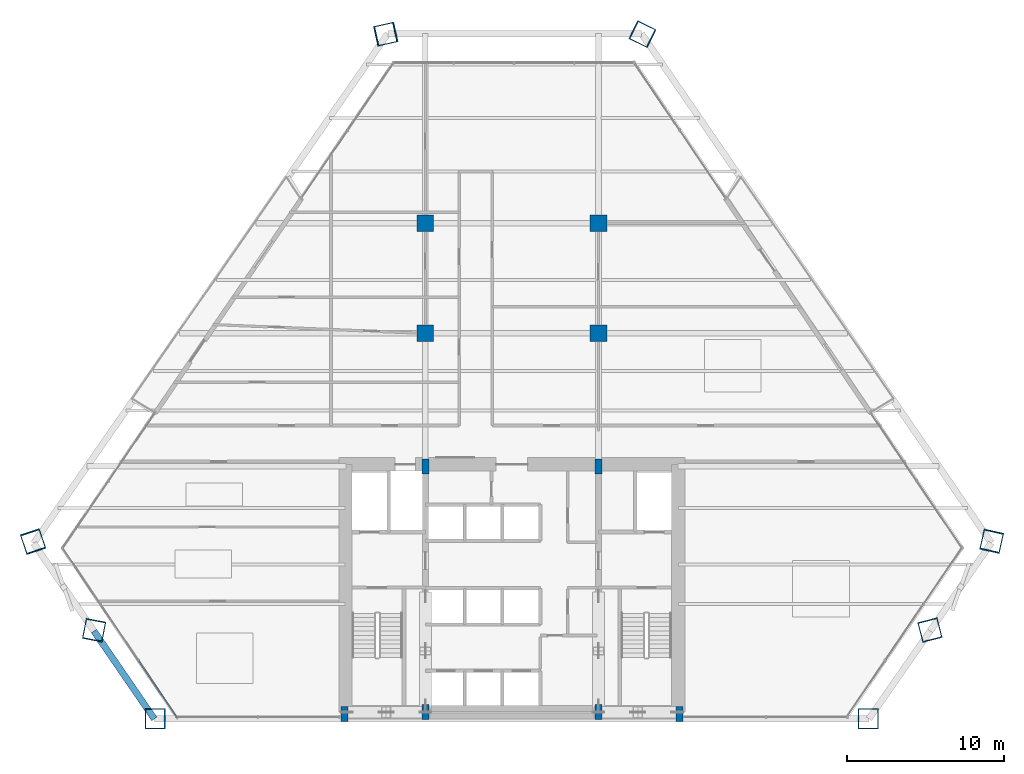
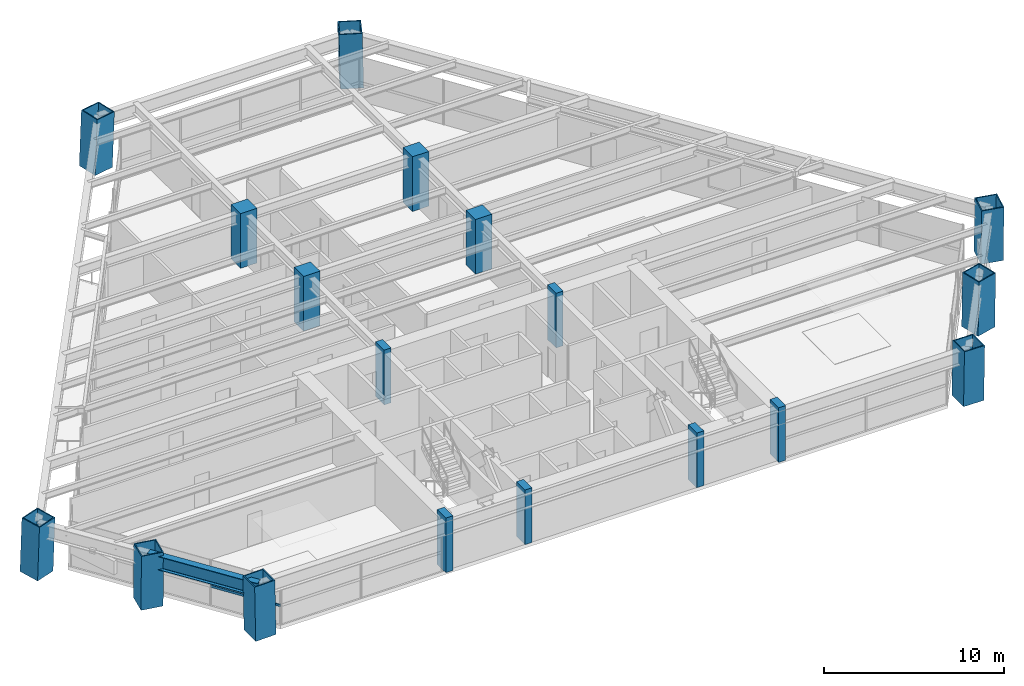
# One storey, part 1 of 14: 18 columns, 1 beam, 1 member, 1 element without a shape of its own.
"""IFC4 building model written with IfcOpenShell, lengths in metres."""

from ifc_helpers import new_model, si_unit, direction, frame, origin, origin_2d, place, context, subcontext, project, spatial, rectangle, hollow_rectangle, i_section, extrude, source, transform, mapped, material, material_profile, profile_set, type_object, type_shapes, element, aggregate, save


model = new_model("IFC4")

# Units and contexts
model_context = context("Model", 3, precision=1e-05, world=origin(), true_north=direction((0.0, 1.0)))
body_context = subcontext(model_context, "Body", "Model", "MODEL_VIEW")
ifc_project = project(units=[si_unit("LENGTHUNIT", "METRE"), si_unit("AREAUNIT", "SQUARE_METRE"), si_unit("VOLUMEUNIT", "CUBIC_METRE"), si_unit("PLANEANGLEUNIT", "RADIAN"), si_unit("MASSUNIT", "GRAM", prefix="KILO")], contexts=[model_context])

# Site, building, storey
site_placement = place(None, origin())
site = spatial("IfcSite", under=ifc_project, at=site_placement, CompositionType="ELEMENT")
building_placement = place(site_placement, origin())
building = spatial("IfcBuilding", under=site, at=building_placement, Name="Varnakhor Terracotta Tower", CompositionType="ELEMENT")
storey_placement = place(building_placement, frame((0.0, 0.0, 38.60009765625)))
storey = spatial("IfcBuildingStorey", under=building, at=storey_placement, Name="L08", CompositionType="ELEMENT", Elevation=38.60009765625)

# Columns
ifc_material_1 = material(Name="Concrete C50/60", Category="concrete")
ifc_material_profile_1 = material_profile(ifc_material_1, rectangle(XDim=0.449951171875, YDim=0.949951171875, at=origin_2d()), Name="RC PILASTER 950x450")
ifc_profile_set_1 = profile_set([ifc_material_profile_1], Name="Concrete C50/60")
column_type_1 = type_object("IfcColumnType", Name="COL-PIL-950x450", PredefinedType="PILASTER", material=ifc_profile_set_1)
shared_shape_1 = source(origin(), body_context, "Body", "SweptSolid", [
    extrude(rectangle(XDim=0.449951171875, YDim=0.949951171875, at=origin_2d()), origin(), (0.0, 0.0, 1.0), 3.699951171875),
])
for number, where, z_axis, x_axis, name in (
    (1, (-10.64990234375, 0.300048828125, 0.0), (0.0, 0.0, 1.0), (1.0, 0.0, 0.0), "L08 Core Pilaster CP1"),
    (2, (-5.5, 0.449951171875, 0.0), (0.0, 0.0, 1.0), (1.0, 0.0, 0.0), "L08 Core Pilaster CP2"),
    (3, (5.5, 0.449951171875, 0.0), (0.0, 0.0, 1.0), (1.0, 0.0, 0.0), "L08 Core Pilaster CP3"),
    (4, (10.64990234375, 0.300048828125, 0.0), (0.0, 0.0, 1.0), (1.0, 0.0, 0.0), "L08 Core Pilaster CP4"),
    (5, (-5.5, 16.050048828125, 0.0), (0.0, 0.0, 1.0), (1.0, 0.0, 0.0), "L08 Core Pilaster CP5"),
    (6, (5.5, 16.050048828125, 0.0), (0.0, 0.0, 1.0), (1.0, 0.0, 0.0), "L08 Core Pilaster CP6"),
):
    element("IfcColumn", number, at=place(storey_placement, frame(where, z_axis=z_axis, x_axis=x_axis)), inside=storey, type_object=column_type_1, Name=name, PredefinedType="PILASTER", context=body_context, shape_type="MappedRepresentation", body=[
        mapped(shared_shape_1, transform((0.0, 0.0, 0.0), scale=1.0)),
    ])
ifc_material_2 = material(Name="Steel S460", Category="steel")
ifc_material_profile_2 = material_profile(ifc_material_2, hollow_rectangle(XDim=1.300048828125, YDim=1.300048828125, WallThickness=0.06494140625, at=origin_2d()), Name="BOX 1300x1300x65")
ifc_profile_set_2 = profile_set([ifc_material_profile_2], Name="Steel S460")
column_type_2 = type_object("IfcColumnType", Name="COL-MEGA-1300", PredefinedType="COLUMN", material=ifc_profile_set_2)
shared_shape_2 = source(origin(), body_context, "Body", "SweptSolid", [
    extrude(hollow_rectangle(XDim=1.300048828125, YDim=1.300048828125, WallThickness=0.06494140625, at=origin_2d()), origin(), (0.0, 0.0, 1.0), 3.69189453125),
])
type_shapes(column_type_2, [shared_shape_2])
for number, where, z_axis, x_axis, name in (
    (7, (-22.6611328125, 0.0, 0.00439453125), (-0.018847104809, 0.0, 0.999822377545), (0.0, -1.0, 0.0), "L08 Perimeter Mega-Column M1"),
    (8, (8.30419921875, 43.512939453125, 0.00439453125), (-0.018846285544, 0.009323951795, 0.999778916283), (-0.44343569379, -0.896306189576, 0.0), "L08 Perimeter Mega-Column M5"),
):
    element("IfcColumn", number, at=place(storey_placement, frame(where, z_axis=z_axis, x_axis=x_axis)), inside=storey, type_object=column_type_2, Name=name, PredefinedType="COLUMN", context=body_context, shape_type="MappedRepresentation", body=[
        mapped(shared_shape_2, transform((0.0, 0.0, 0.0), scale=1.0)),
    ])
shared_shape_3 = source(origin(), body_context, "Body", "SweptSolid", [
    extrude(hollow_rectangle(XDim=1.300048828125, YDim=1.300048828125, WallThickness=0.06494140625, at=origin_2d()), origin(), (0.0, 0.0, 1.0), 3.691650390625),
])
for number, where, z_axis, x_axis, name in (
    (9, (22.6318359375, 0.0, 0.00439453125), (0.016268764013, 0.0, 0.999867654901), (0.0, 1.0, 0.0), "L08 Perimeter Mega-Column M2"),
    (10, (26.56298828125, 5.656005859375, 0.00439453125), (0.00436471059, -0.016797522572, 0.999849384926), (0.96785961587, 0.251491081289, 0.0), "L08 Perimeter Mega-Column M3"),
    (11, (-26.551513671875, 5.6455078125, 0.00439453125), (-0.003438820357, -0.017723151073, 0.999837018934), (0.981691567677, -0.190477468355, 0.0), "L08 Perimeter Mega-Column M8"),
):
    element("IfcColumn", number, at=place(storey_placement, frame(where, z_axis=z_axis, x_axis=x_axis)), inside=storey, type_object=column_type_2, Name=name, PredefinedType="COLUMN", context=body_context, shape_type="MappedRepresentation", body=[
        mapped(shared_shape_3, transform((0.0, 0.0, 0.0), scale=1.0)),
    ])
shared_shape_4 = source(origin(), body_context, "Body", "SweptSolid", [
    extrude(hollow_rectangle(XDim=1.300048828125, YDim=1.300048828125, WallThickness=0.06494140625, at=origin_2d()), origin(), (0.0, 0.0, 1.0), 3.693359375),
])
column_1_placement = place(storey_placement, frame((30.494384765625, 11.31201171875, 0.00439453125), z_axis=(-0.007601813503, -0.033580184864, 0.999407116052), x_axis=(0.975321100289, -0.220791193963, 0.0)))
element("IfcColumn", 12, at=column_1_placement, inside=storey, type_object=column_type_2, Name="L08 Perimeter Mega-Column M4", PredefinedType="COLUMN", context=body_context, shape_type="MappedRepresentation", body=[
    mapped(shared_shape_4, transform((0.0, 0.0, 0.0), scale=1.0)),
])
shared_shape_5 = source(origin(), body_context, "Body", "SweptSolid", [
    extrude(hollow_rectangle(XDim=1.300048828125, YDim=1.300048828125, WallThickness=0.06494140625, at=origin_2d()), origin(), (0.0, 0.0, 1.0), 3.694580078125),
])
column_2_placement = place(storey_placement, frame((-8.0458984375, 43.512939453125, 0.00439453125), z_axis=(0.041631486202, 0.009317523102, 0.999089587134), x_axis=(-0.218406297437, 0.97585792472, 0.0)))
element("IfcColumn", 13, at=column_2_placement, inside=storey, type_object=column_type_2, Name="L08 Perimeter Mega-Column M6", PredefinedType="COLUMN", context=body_context, shape_type="MappedRepresentation", body=[
    mapped(shared_shape_5, transform((0.0, 0.0, 0.0), scale=1.0)),
])
shared_shape_6 = source(origin(), body_context, "Body", "SweptSolid", [
    extrude(hollow_rectangle(XDim=1.300048828125, YDim=1.300048828125, WallThickness=0.06494140625, at=origin_2d()), origin(), (0.0, 0.0, 1.0), 3.69384765625),
])
column_3_placement = place(storey_placement, frame((-30.44189453125, 11.291015625, 0.00439453125), z_axis=(0.011963290792, -0.035493299199, 0.999298306506), x_axis=(0.947619188081, 0.319402370657, 0.0)))
element("IfcColumn", 14, at=column_3_placement, inside=storey, type_object=column_type_2, Name="L08 Perimeter Mega-Column M7", PredefinedType="COLUMN", context=body_context, shape_type="MappedRepresentation", body=[
    mapped(shared_shape_6, transform((0.0, 0.0, 0.0), scale=1.0)),
])
ifc_material_3 = material(Name="Concrete C60/75", Category="concrete")
ifc_material_profile_3 = material_profile(ifc_material_3, rectangle(XDim=1.050048828125, YDim=1.050048828125, at=origin_2d()), Name="RC 1050x1050")
ifc_profile_set_3 = profile_set([ifc_material_profile_3], Name="Concrete C60/75")
column_type_3 = type_object("IfcColumnType", Name="COL-RC-1050", PredefinedType="COLUMN", material=ifc_profile_set_3)
shared_shape_7 = source(origin(), body_context, "Body", "SweptSolid", [
    extrude(rectangle(XDim=1.050048828125, YDim=1.050048828125, at=origin_2d()), origin(), (0.0, 0.0, 1.0), 3.699951171875),
])
for number, where, z_axis, x_axis, name in (
    (15, (-5.5, 24.5, 0.0), (0.0, 0.0, 1.0), (1.0, 0.0, 0.0), "L08 Interior Tower Column IC1"),
    (16, (5.5, 24.5, 0.0), (0.0, 0.0, 1.0), (1.0, 0.0, 0.0), "L08 Interior Tower Column IC2"),
    (17, (-5.5, 31.5, 0.0), (0.0, 0.0, 1.0), (1.0, 0.0, 0.0), "L08 Interior Tower Column IC3"),
    (18, (5.5, 31.5, 0.0), (0.0, 0.0, 1.0), (1.0, 0.0, 0.0), "L08 Interior Tower Column IC4"),
):
    element("IfcColumn", number, at=place(storey_placement, frame(where, z_axis=z_axis, x_axis=x_axis)), inside=storey, type_object=column_type_3, Name=name, PredefinedType="COLUMN", context=body_context, shape_type="MappedRepresentation", body=[
        mapped(shared_shape_7, transform((0.0, 0.0, 0.0), scale=1.0)),
    ])

# Beam
ifc_material_4 = material(Name="Steel S355", Category="steel")
ifc_material_profile_4 = material_profile(ifc_material_4, i_section(OverallWidth=0.41796875, OverallDepth=0.927001953125, WebThickness=0.01904296875, FlangeThickness=0.031982421875, FilletRadius=0.01806640625, at=origin_2d()), Name="W36X231")
ifc_profile_set_4 = profile_set([ifc_material_profile_4], Name="Steel S355")
beam_type = type_object("IfcBeamType", Name="BM-W36X231", PredefinedType="BEAM", material=ifc_profile_set_4)
shared_shape_8 = source(origin(), body_context, "Body", "SweptSolid", [
    extrude(i_section(OverallWidth=0.41796875, OverallDepth=0.927001953125, WebThickness=0.01904296875, FlangeThickness=0.031982421875, FilletRadius=0.01806640625, at=origin_2d()), origin(), (0.0, 0.0, 1.0), 6.77001953125),
])
beam_placement = place(storey_placement, frame((-26.564208984375, 5.580078125, 2.986328125), z_axis=(0.566247180154, -0.824235482716, 0.0), x_axis=(0.824235482716, 0.566247180154, 0.0)))
element("IfcBeam", 19, at=beam_placement, inside=storey, type_object=beam_type, Name="L08 Perimeter Spandrel 8", PredefinedType="BEAM", context=body_context, shape_type="MappedRepresentation", body=[
    mapped(shared_shape_8, transform((0.0, 0.0, 0.0), scale=1.0)),
])

# Curtain wall, member
ifc_material_5 = material(Name="Anodised Aluminium Curtain Wall System", Category="aluminium")
curtain_wall_type = type_object("IfcCurtainWallType", Name="CW-SYS-LOW-OFFICE", PredefinedType="NOTDEFINED", material=ifc_material_5)
curtain_wall_placement = place(storey_placement, origin())
curtain_wall = element("IfcCurtainWall", 20, at=curtain_wall_placement, inside=storey, type_object=curtain_wall_type, Name="L08 Facet Curtain Wall 6", PredefinedType="NOTDEFINED")
ifc_material_6 = material(Name="Anodised Aluminium 6063-T6", Category="aluminium")
ifc_material_profile_5 = material_profile(ifc_material_6, rectangle(XDim=0.074951171875, YDim=0.1650390625, at=origin_2d()), Name="ALU TRANSOM 75x165")
ifc_profile_set_5 = profile_set([ifc_material_profile_5], Name="Anodised Aluminium 6063-T6")
member_type = type_object("IfcMemberType", Name="CWT-02", PredefinedType="USERDEFINED", material=ifc_profile_set_5)
shared_shape_9 = source(origin(), body_context, "Body", "SweptSolid", [
    extrude(rectangle(XDim=0.074951171875, YDim=0.1650390625, at=origin_2d()), origin(), (0.0, 0.0, 1.0), 4.345458984375),
])
member_placement = place(storey_placement, frame((-21.276611328125, 0.092041015625, 1.2724609375), z_axis=(-0.559797987595, 0.828629116725, 0.0), x_axis=(-0.828629116725, -0.559797987595, 0.0)))
member = element("IfcMember", 21, at=member_placement, type_object=member_type, Name="L08 Facet Curtain Wall 6 Transom 1", ObjectType="TRANSOM", PredefinedType="USERDEFINED", context=body_context, shape_type="MappedRepresentation", body=[
    mapped(shared_shape_9, transform((0.0, 0.0, 0.0), scale=1.0)),
])
aggregate(curtain_wall, [member])

save(model, "model.ifc")
